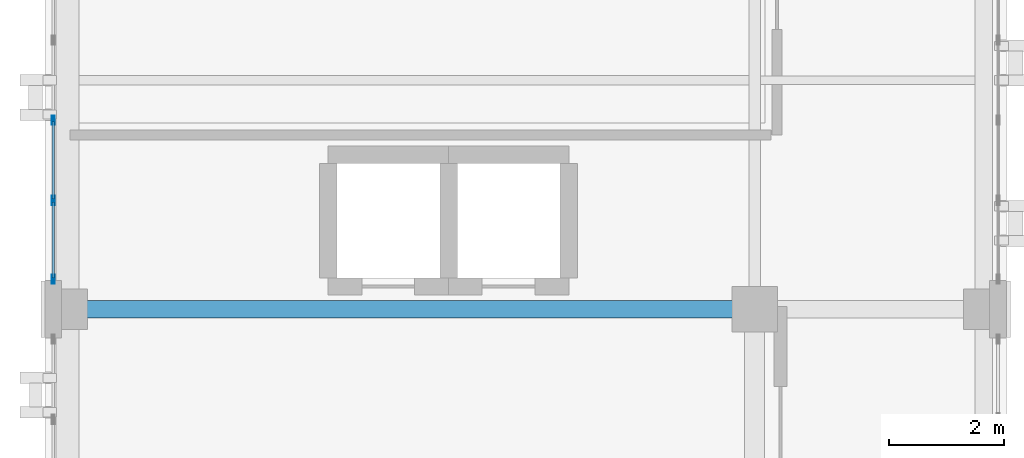
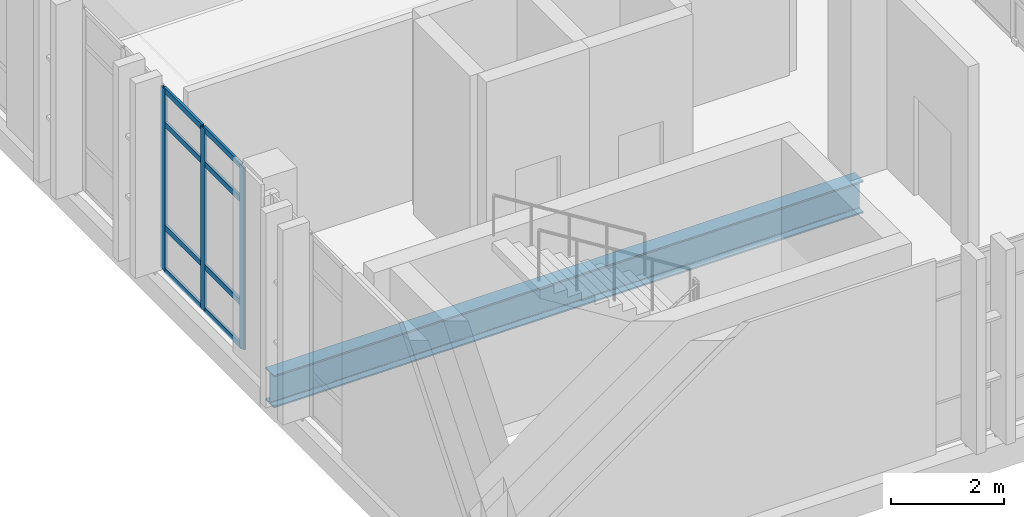
# One storey, part 27 of 165: 11 members, 1 beam, 1 element without a shape of its own.
"""IFC4 building model written with IfcOpenShell, lengths in metres."""

from ifc_helpers import new_model, si_unit, direction, frame, origin, origin_2d, place, context, subcontext, project, spatial, hollow_rectangle, i_section, extrude, material, layer, layer_set, material_profile, profile_set, type_object, element, aggregate, save


model = new_model("IFC4")

# Units and contexts
model_context = context("Model", 3, precision=1e-05, world=origin(), true_north=direction((0.0, 1.0)))
body_context = subcontext(model_context, "Body", "Model", "MODEL_VIEW")
ifc_project = project(units=[si_unit("LENGTHUNIT", "METRE"), si_unit("AREAUNIT", "SQUARE_METRE"), si_unit("VOLUMEUNIT", "CUBIC_METRE"), si_unit("PLANEANGLEUNIT", "RADIAN"), si_unit("MASSUNIT", "GRAM", prefix="KILO")], contexts=[model_context])

# Site, building, storey
site_placement = place(None, origin())
site = spatial("IfcSite", under=ifc_project, at=site_placement, CompositionType="ELEMENT")
building_placement = place(site_placement, origin())
building = spatial("IfcBuilding", under=site, at=building_placement, Name="Qalavern Law Courts", CompositionType="ELEMENT")
storey_placement = place(building_placement, frame((0.0, 0.0, 14.39990234375)))
storey = spatial("IfcBuildingStorey", under=building, at=storey_placement, Name="L03", CompositionType="ELEMENT", Elevation=14.39990234375)

# Curtain wall, members
ifc_material_1 = material(Name="Anodised aluminium and insulated glazing", Category="aluminium")
ifc_layer = layer(ifc_material_1, 0.172119140625)
ifc_layer_set = layer_set([ifc_layer], Name="Anodised aluminium and insulated glazing")
curtain_wall_type = type_object("IfcCurtainWallType", Name="ENV-CW-COURT", PredefinedType="USERDEFINED", material=ifc_layer_set)
curtain_wall_placement = place(storey_placement, origin())
curtain_wall = element("IfcCurtainWall", 1, at=curtain_wall_placement, inside=storey, type_object=curtain_wall_type, Name="V3 unitised curtain wall L03 west 6", ObjectType="UNITISED CURTAIN WALL", PredefinedType="USERDEFINED")
ifc_material_2 = material(Name="Anodised aluminium", Category="aluminium")
ifc_material_profile_1 = material_profile(ifc_material_2, hollow_rectangle(XDim=0.048095703125, YDim=0.159912109375, WallThickness=0.00390625, at=origin_2d()), Name="ALU MULLION 48x160")
ifc_profile_set_1 = profile_set([ifc_material_profile_1], Name="Anodised aluminium")
member_type_1 = type_object("IfcMemberType", Name="ENV-CWM-48x160", PredefinedType="MULLION", material=ifc_profile_set_1)
member_1_placement = place(storey_placement, frame((2.1474609375, 52.699951171875, 0.0), z_axis=(0.0, 0.0, 1.0), x_axis=(1.0, 0.0, 0.0)))
member_1 = element("IfcMember", 2, at=member_1_placement, type_object=member_type_1, Name="CW-03 mullion 4", PredefinedType="MULLION", context=body_context, shape_type="SweptSolid", body=[
    extrude(hollow_rectangle(XDim=0.048095703125, YDim=0.159912109375, WallThickness=0.00390625, at=origin_2d()), origin(), (0.0, 0.0, 1.0), 3.920166015625),
])
member_2_placement = place(storey_placement, frame((2.1474609375, 51.300048828125, 0.0), z_axis=(0.0, 0.0, 1.0), x_axis=(1.0, 0.0, 0.0)))
member_2 = element("IfcMember", 3, at=member_2_placement, type_object=member_type_1, Name="CW-03 mullion 5", PredefinedType="MULLION", context=body_context, shape_type="SweptSolid", body=[
    extrude(hollow_rectangle(XDim=0.048095703125, YDim=0.159912109375, WallThickness=0.00390625, at=origin_2d()), origin(), (0.0, 0.0, 1.0), 3.920166015625),
])
member_3_placement = place(storey_placement, frame((2.1474609375, 49.924072265625, 0.0), z_axis=(0.0, 0.0, 1.0), x_axis=(1.0, 0.0, 0.0)))
member_3 = element("IfcMember", 4, at=member_3_placement, type_object=member_type_1, Name="CW-03 mullion 6", PredefinedType="MULLION", context=body_context, shape_type="SweptSolid", body=[
    extrude(hollow_rectangle(XDim=0.048095703125, YDim=0.159912109375, WallThickness=0.00390625, at=origin_2d()), origin(), (0.0, 0.0, 1.0), 3.920166015625),
])
ifc_material_profile_2 = material_profile(ifc_material_2, hollow_rectangle(XDim=0.048095703125, YDim=0.1201171875, WallThickness=0.00390625, at=origin_2d()), Name="ALU TRANSOM 48x120")
ifc_profile_set_2 = profile_set([ifc_material_profile_2], Name="Anodised aluminium")
member_type_2 = type_object("IfcMemberType", Name="ENV-CWT-48x120", PredefinedType="USERDEFINED", material=ifc_profile_set_2)
member_4_placement = place(storey_placement, frame((2.1474609375, 52.676025390625, 0.024169921875), z_axis=(0.0, -1.0, 0.0), x_axis=(1.0, 0.0, 0.0)))
member_4 = element("IfcMember", 5, at=member_4_placement, type_object=member_type_2, Name="CW-03 transom 4.1", ObjectType="TRANSOM", PredefinedType="USERDEFINED", context=body_context, shape_type="SweptSolid", body=[
    extrude(hollow_rectangle(XDim=0.048095703125, YDim=0.1201171875, WallThickness=0.00390625, at=origin_2d()), origin(), (0.0, 0.0, 1.0), 1.35205078125),
])
member_5_placement = place(storey_placement, frame((2.1474609375, 52.676025390625, 0.9501953125), z_axis=(0.0, -1.0, 0.0), x_axis=(1.0, 0.0, 0.0)))
member_5 = element("IfcMember", 6, at=member_5_placement, type_object=member_type_2, Name="CW-03 transom 4.2", ObjectType="TRANSOM", PredefinedType="USERDEFINED", context=body_context, shape_type="SweptSolid", body=[
    extrude(hollow_rectangle(XDim=0.048095703125, YDim=0.1201171875, WallThickness=0.00390625, at=origin_2d()), origin(), (0.0, 0.0, 1.0), 1.35205078125),
])
member_6_placement = place(storey_placement, frame((2.1474609375, 52.676025390625, 3.170166015625), z_axis=(0.0, -1.0, 0.0), x_axis=(1.0, 0.0, 0.0)))
member_6 = element("IfcMember", 7, at=member_6_placement, type_object=member_type_2, Name="CW-03 transom 4.3", ObjectType="TRANSOM", PredefinedType="USERDEFINED", context=body_context, shape_type="SweptSolid", body=[
    extrude(hollow_rectangle(XDim=0.048095703125, YDim=0.1201171875, WallThickness=0.00390625, at=origin_2d()), origin(), (0.0, 0.0, 1.0), 1.35205078125),
])
member_7_placement = place(storey_placement, frame((2.1474609375, 52.676025390625, 3.89599609375), z_axis=(0.0, -1.0, 0.0), x_axis=(1.0, 0.0, 0.0)))
member_7 = element("IfcMember", 8, at=member_7_placement, type_object=member_type_2, Name="CW-03 transom 4.4", ObjectType="TRANSOM", PredefinedType="USERDEFINED", context=body_context, shape_type="SweptSolid", body=[
    extrude(hollow_rectangle(XDim=0.048095703125, YDim=0.1201171875, WallThickness=0.00390625, at=origin_2d()), origin(), (0.0, 0.0, 1.0), 1.35205078125),
])
member_8_placement = place(storey_placement, frame((2.1474609375, 51.27587890625, 0.024169921875), z_axis=(0.0, -1.0, 0.0), x_axis=(1.0, 0.0, 0.0)))
member_8 = element("IfcMember", 9, at=member_8_placement, type_object=member_type_2, Name="CW-03 transom 5.1", ObjectType="TRANSOM", PredefinedType="USERDEFINED", context=body_context, shape_type="SweptSolid", body=[
    extrude(hollow_rectangle(XDim=0.048095703125, YDim=0.1201171875, WallThickness=0.00390625, at=origin_2d()), origin(), (0.0, 0.0, 1.0), 1.327880859375),
])
member_9_placement = place(storey_placement, frame((2.1474609375, 51.27587890625, 0.9501953125), z_axis=(0.0, -1.0, 0.0), x_axis=(1.0, 0.0, 0.0)))
member_9 = element("IfcMember", 10, at=member_9_placement, type_object=member_type_2, Name="CW-03 transom 5.2", ObjectType="TRANSOM", PredefinedType="USERDEFINED", context=body_context, shape_type="SweptSolid", body=[
    extrude(hollow_rectangle(XDim=0.048095703125, YDim=0.1201171875, WallThickness=0.00390625, at=origin_2d()), origin(), (0.0, 0.0, 1.0), 1.327880859375),
])
member_10_placement = place(storey_placement, frame((2.1474609375, 51.27587890625, 3.170166015625), z_axis=(0.0, -1.0, 0.0), x_axis=(1.0, 0.0, 0.0)))
member_10 = element("IfcMember", 11, at=member_10_placement, type_object=member_type_2, Name="CW-03 transom 5.3", ObjectType="TRANSOM", PredefinedType="USERDEFINED", context=body_context, shape_type="SweptSolid", body=[
    extrude(hollow_rectangle(XDim=0.048095703125, YDim=0.1201171875, WallThickness=0.00390625, at=origin_2d()), origin(), (0.0, 0.0, 1.0), 1.327880859375),
])
member_11_placement = place(storey_placement, frame((2.1474609375, 51.27587890625, 3.89599609375), z_axis=(0.0, -1.0, 0.0), x_axis=(1.0, 0.0, 0.0)))
member_11 = element("IfcMember", 12, at=member_11_placement, type_object=member_type_2, Name="CW-03 transom 5.4", ObjectType="TRANSOM", PredefinedType="USERDEFINED", context=body_context, shape_type="SweptSolid", body=[
    extrude(hollow_rectangle(XDim=0.048095703125, YDim=0.1201171875, WallThickness=0.00390625, at=origin_2d()), origin(), (0.0, 0.0, 1.0), 1.327880859375),
])
aggregate(curtain_wall, [member_1, member_2, member_3, member_4, member_5, member_6, member_7, member_8, member_9, member_10, member_11])

# Beam
ifc_material_3 = material(Name="Steel S355", Category="steel")
ifc_material_profile_3 = material_profile(ifc_material_3, i_section(OverallWidth=0.300048828125, OverallDepth=0.699951171875, WebThickness=0.01708984375, FlangeThickness=0.031982421875, FilletRadius=0.027099609375, at=origin_2d()), Name="HEB 700")
ifc_profile_set_3 = profile_set([ifc_material_profile_3], Name="Steel S355")
beam_type = type_object("IfcBeamType", Name="STR-BM-HEB700", PredefinedType="BEAM", material=ifc_profile_set_3)
beam_placement = place(storey_placement, frame((2.39990234375, 49.39990234375, -0.635009765625), z_axis=(1.0, 0.0, 0.0), x_axis=(0.0, 1.0, 0.0)))
element("IfcBeam", 13, at=beam_placement, inside=storey, type_object=beam_type, Name="V3 X-beam 2-1 L03", PredefinedType="BEAM", context=body_context, shape_type="SweptSolid", body=[
    extrude(i_section(OverallWidth=0.300048828125, OverallDepth=0.699951171875, WebThickness=0.01708984375, FlangeThickness=0.031982421875, FilletRadius=0.027099609375, at=origin_2d()), origin(), (0.0, 0.0, 1.0), 12.0),
])

save(model, "model.ifc")
